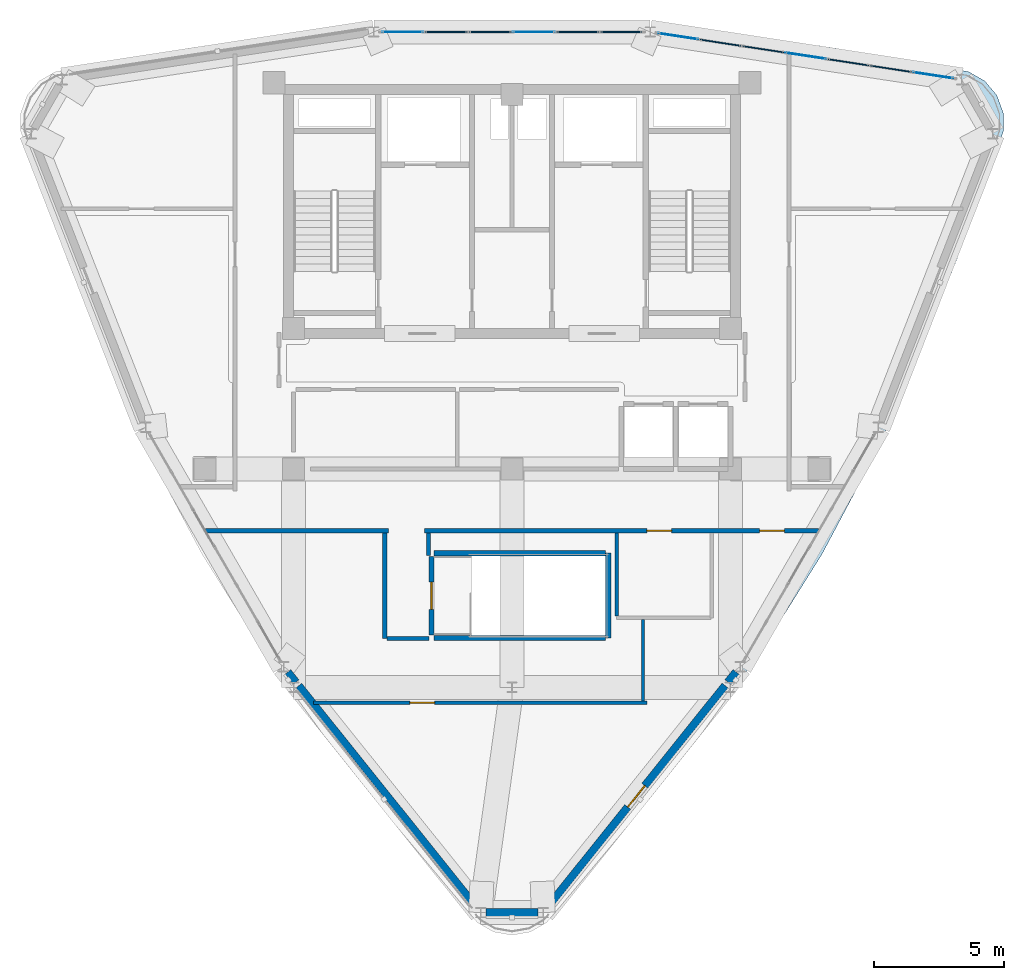
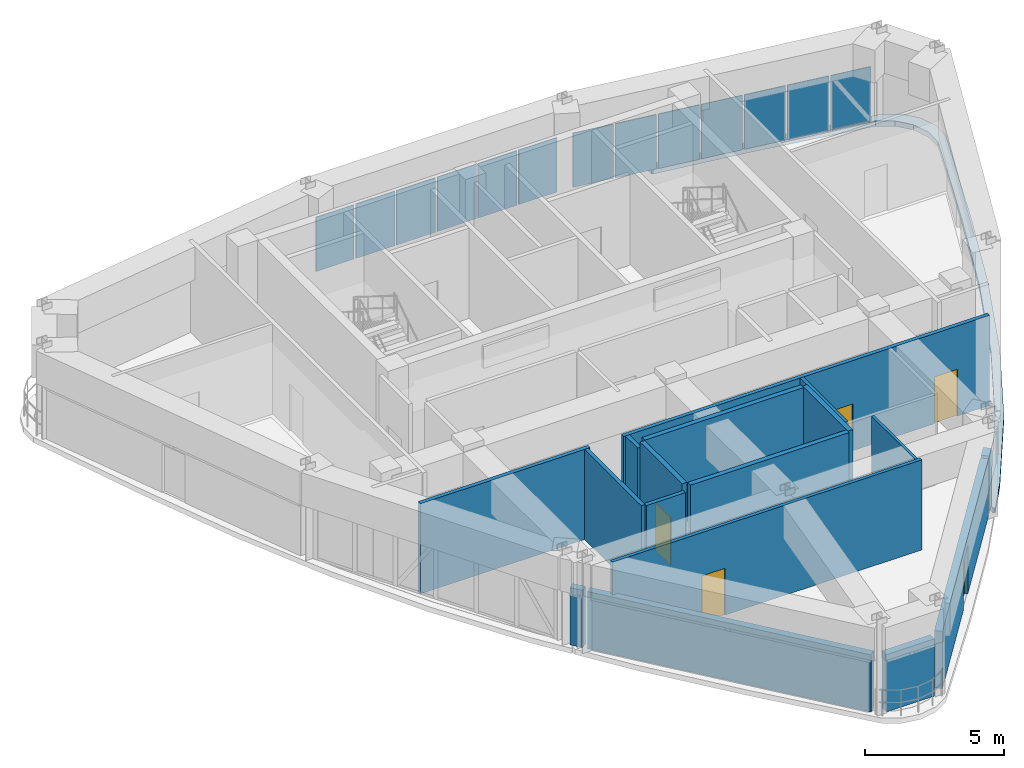
# One storey, part 12 of 16: 17 walls, 13 plates, 5 doors, 1 slab, 5 openings, 2 elements without a shape of their own.
"""IFC4 building model written with IfcOpenShell, lengths in metres."""

from ifc_helpers import new_model, si_unit, derived_unit, direction, frame, frame_2d, origin, origin_2d, place, context, subcontext, project, spatial, polyline, rectangle, outline, extrude, source, transform, mapped, material, layer, layer_set, type_object, element, fill, aggregate, save


model = new_model("IFC4")

# Units and contexts
model_context = context("Model", 3, precision=1e-05, world=origin(), true_north=direction((0.0, 1.0)))
body_context = subcontext(model_context, "Body", "Model", "MODEL_VIEW")
ifc_project = project(units=[si_unit("LENGTHUNIT", "METRE"), si_unit("AREAUNIT", "SQUARE_METRE"), si_unit("VOLUMEUNIT", "CUBIC_METRE"), si_unit("PLANEANGLEUNIT", "RADIAN"), si_unit("MASSUNIT", "GRAM", prefix="KILO"), derived_unit("THERMALTRANSMITTANCEUNIT", [(si_unit("POWERUNIT", "WATT"), 1), (si_unit("LENGTHUNIT", "METRE"), -2), (si_unit("THERMODYNAMICTEMPERATUREUNIT", "KELVIN"), -1)])], contexts=[model_context])

# Site, building, storey
site_placement = place(None, origin())
site = spatial("IfcSite", under=ifc_project, at=site_placement, CompositionType="ELEMENT")
building_placement = place(site_placement, origin())
building = spatial("IfcBuilding", under=site, at=building_placement, Name="Korsvarv Bourse and Concert Hall", CompositionType="ELEMENT")
storey_placement = place(building_placement, frame((0.0, 0.0, 288.0)))
storey = spatial("IfcBuildingStorey", under=building, at=storey_placement, Name="L75", CompositionType="ELEMENT", Elevation=288.0)

# Slab
ifc_material_1 = material(Name="Concrete C45/55", Category="concrete")
ifc_layer_1 = layer(ifc_material_1, 0.22998046875)
ifc_layer_set_1 = layer_set([ifc_layer_1], Name="Concrete C45/55")
slab_type = type_object("IfcSlabType", Name="SLB-SKY", PredefinedType="FLOOR", material=ifc_layer_set_1)
slab_placement = place(storey_placement, frame((0.0, 0.0, -0.22998046875)))
element("IfcSlab", 1, at=slab_placement, inside=storey, type_object=slab_type, Name="L75 Crescent Sky Garden Terrace 2", PredefinedType="FLOOR", context=body_context, shape_type="SweptSolid", body=[
    extrude(outline(polyline([(45.483154296875, 25.839599609375), (45.4833984375, 25.84033203125), (47.635009765625, 29.281494140625), (47.635498046875, 29.2822265625), (47.635986328125, 29.282958984375), (49.540283203125, 32.866943359375), (49.54052734375, 32.86767578125), (49.541015625, 32.868408203125), (51.220703125, 36.59326171875), (51.220703125, 36.593505859375), (51.22119140625, 36.594482421875), (52.731689453125, 40.43701171875), (52.731689453125, 40.43701171875), (52.73193359375, 40.4375), (54.15478515625, 44.355712890625), (54.445556640625, 45.15478515625), (54.44580078125, 45.1552734375), (54.446044921875, 45.156494140625), (54.4462890625, 45.157470703125), (54.4462890625, 45.15869140625), (54.4462890625, 45.159423828125), (54.4462890625, 45.853271484375), (54.4462890625, 45.853759765625), (54.4462890625, 45.85498046875), (54.446044921875, 45.85595703125), (54.44580078125, 45.857421875), (54.445556640625, 45.85791015625), (54.208251953125, 46.509765625), (54.2080078125, 46.51025390625), (54.20751953125, 46.511474609375), (54.20703125, 46.51220703125), (54.206298828125, 46.513427734375), (54.205810546875, 46.513916015625), (53.760009765625, 47.04541015625), (53.759521484375, 47.045654296875), (53.758544921875, 47.046630859375), (53.7578125, 47.04736328125), (53.7568359375, 47.048095703125), (53.75634765625, 47.04833984375), (53.155517578125, 47.395263671875), (53.15478515625, 47.3955078125), (53.15380859375, 47.39599609375), (53.15283203125, 47.396484375), (53.151611328125, 47.396728515625), (53.15087890625, 47.39697265625), (52.314208984375, 47.54443359375), (48.208984375, 48.271484375), (48.20849609375, 48.271484375), (48.208251953125, 48.271484375), (44.751220703125, 48.79052734375), (44.7451171875, 48.791748046875), (44.7392578125, 48.793701171875), (44.733642578125, 48.7958984375), (44.728515625, 48.799072265625), (44.723388671875, 48.802490234375), (44.71875, 48.806396484375), (44.714599609375, 48.810791015625), (44.710693359375, 48.815673828125), (44.70751953125, 48.82080078125), (44.704833984375, 48.826171875), (44.702880859375, 48.83203125), (44.701171875, 48.837890625), (44.7001953125, 48.843994140625), (44.699951171875, 48.85009765625), (44.699951171875, 49.072509765625), (44.7001953125, 49.078125), (44.701171875, 49.083740234375), (44.702392578125, 49.08935546875), (44.704345703125, 49.0947265625), (44.706787109375, 49.10009765625), (44.709716796875, 49.10498046875), (44.712890625, 49.109619140625), (44.716796875, 49.114013671875), (44.720703125, 49.117919921875), (44.725341796875, 49.121337890625), (44.730224609375, 49.12451171875), (44.7353515625, 49.127197265625), (44.740478515625, 49.129150390625), (44.74609375, 49.130859375), (44.751708984375, 49.1318359375), (44.757568359375, 49.13232421875), (44.76318359375, 49.13232421875), (44.768798828125, 49.1318359375), (48.497802734375, 48.572021484375), (48.49951171875, 48.57177734375), (52.70166015625, 47.827392578125), (53.552001953125, 47.677490234375), (53.556884765625, 47.676513671875), (53.56201171875, 47.6748046875), (53.56689453125, 47.6728515625), (53.571533203125, 47.67041015625), (54.175537109375, 47.321533203125), (54.179931640625, 47.31884765625), (54.18408203125, 47.315673828125), (54.18798828125, 47.31201171875), (54.19140625, 47.30810546875), (54.639892578125, 46.773681640625), (54.643310546875, 46.769775390625), (54.64599609375, 46.76513671875), (54.6484375, 46.760498046875), (54.650390625, 46.755859375), (54.888916015625, 46.10009765625), (54.890625, 46.09521484375), (54.8916015625, 46.090087890625), (54.892333984375, 46.0849609375), (54.892578125, 46.07958984375), (54.892578125, 45.382080078125), (54.892333984375, 45.376953125), (54.8916015625, 45.37158203125), (54.890625, 45.366455078125), (54.888916015625, 45.361572265625), (54.593505859375, 44.549560546875), (53.13720703125, 40.5390625), (53.13671875, 40.53759765625), (51.590576171875, 36.605224609375), (51.58935546875, 36.6025390625), (49.87060546875, 32.790771484375), (49.868896484375, 32.787353515625), (47.920654296875, 29.1201171875), (47.91845703125, 29.116455078125), (45.716796875, 25.595458984375), (45.714599609375, 25.59228515625), (44.80859375, 24.332763671875), (44.80517578125, 24.328369140625), (44.801025390625, 24.32421875), (44.796630859375, 24.3203125), (44.7919921875, 24.31689453125), (44.786865234375, 24.314208984375), (44.781494140625, 24.311767578125), (44.77587890625, 24.31005859375), (44.770263671875, 24.30859375), (44.764404296875, 24.30810546875), (44.7587890625, 24.307861328125), (44.7529296875, 24.308349609375), (44.747314453125, 24.30908203125), (44.74169921875, 24.310791015625), (44.736083984375, 24.312744140625), (44.73095703125, 24.315185546875), (44.72607421875, 24.318359375), (44.721435546875, 24.322021484375), (44.717041015625, 24.325927734375), (44.71337890625, 24.330078125), (44.709716796875, 24.3349609375), (44.706787109375, 24.33984375), (44.704345703125, 24.34521484375), (44.702392578125, 24.3505859375), (44.701171875, 24.356201171875), (44.7001953125, 24.362060546875), (44.699951171875, 24.367919921875), (44.699951171875, 24.731689453125), (44.7001953125, 24.73779296875), (44.701416015625, 24.744140625), (44.702880859375, 24.75), (44.705078125, 24.756103515625), (44.7080078125, 24.761474609375), (44.711181640625, 24.766845703125), (45.482666015625, 25.839111328125), (45.483154296875, 25.839599609375)])), origin(), (0.0, 0.0, 1.0), 0.22998046875),
])

# Curtain wall, plates
ifc_material_2 = material(Name="Anodised aluminium and triple low-E glazing", Category="glass")
ifc_layer_2 = layer(ifc_material_2, 0.18994140625)
ifc_layer_set_2 = layer_set([ifc_layer_2], Name="Anodised aluminium and triple low-E glazing")
curtain_wall_type = type_object("IfcCurtainWallType", Name="CW-SYS-4", PredefinedType="NOTDEFINED", material=ifc_layer_set_2)
curtain_wall_1_placement = place(storey_placement, origin())
curtain_wall_1 = element("IfcCurtainWall", 2, at=curtain_wall_1_placement, inside=storey, type_object=curtain_wall_type, Name="L75 CW4 curtain wall CW-L75-F02", PredefinedType="NOTDEFINED")
ifc_material_3 = material(Name="Insulated spandrel glass", Category="glass")
ifc_layer_3 = layer(ifc_material_3, 0.031982421875)
ifc_layer_set_3 = layer_set([ifc_layer_3], Name="Insulated spandrel glass")
plate_type_1 = type_object("IfcPlateType", Name="CWP-SPD1", PredefinedType="CURTAIN_PANEL", material=ifc_layer_set_3)
shared_shape_1 = source(origin(), body_context, "Body", "SweptSolid", [
    extrude(rectangle(XDim=1.5537109375, YDim=0.031982421875, at=origin_2d()), origin(), (0.0, 0.0, 1.0), 2.3798828125),
])
plate_1_placement = place(storey_placement, frame((52.200927734375, 47.537109375, 0.06494140625), z_axis=(0.0, 0.0, 1.0), x_axis=(-0.988487108336, 0.151305111127, 0.0)))
plate_1 = element("IfcPlate", 3, at=plate_1_placement, type_object=plate_type_1, Name="CW4 spandrel shadow-box panel 1.1", PredefinedType="CURTAIN_PANEL", context=body_context, shape_type="MappedRepresentation", body=[
    mapped(shared_shape_1, transform((0.0, 0.0, 0.0), scale=1.0)),
])
plate_2_placement = place(storey_placement, frame((42.397705078125, 49.03759765625, 0.06494140625), z_axis=(0.0, 0.0, 1.0), x_axis=(-0.988487108336, 0.151305111127, 0.0)))
plate_2 = element("IfcPlate", 4, at=plate_2_placement, type_object=plate_type_1, Name="CW4 spandrel shadow-box panel 7.1", PredefinedType="CURTAIN_PANEL", context=body_context, shape_type="MappedRepresentation", body=[
    mapped(shared_shape_1, transform((0.0, 0.0, 0.0), scale=1.0)),
])
ifc_material_4 = material(Name="Tempered triple insulated low-E architectural glass", Category="glass")
ifc_layer_4 = layer(ifc_material_4, 0.0419921875)
ifc_layer_set_4 = layer_set([ifc_layer_4], Name="Tempered triple insulated low-E architectural glass")
plate_type_2 = type_object("IfcPlateType", Name="CWP-VIS3", PredefinedType="CURTAIN_PANEL", material=ifc_layer_set_4)
shared_shape_2 = source(origin(), body_context, "Body", "SweptSolid", [
    extrude(rectangle(XDim=1.588623046875, YDim=0.0419921875, at=origin_2d()), origin(), (0.0, 0.0, 1.0), 2.3798828125),
])
plate_3_placement = place(storey_placement, frame((50.57861328125, 47.785400390625, 0.06494140625), z_axis=(0.0, 0.0, 1.0), x_axis=(-0.988487108336, 0.151305111127, 0.0)))
plate_3 = element("IfcPlate", 5, at=plate_3_placement, type_object=plate_type_2, Name="CW4 faceted panel 2.1", PredefinedType="CURTAIN_PANEL", context=body_context, shape_type="MappedRepresentation", body=[
    mapped(shared_shape_2, transform((0.0, 0.0, 0.0), scale=1.0)),
])
plate_4_placement = place(storey_placement, frame((48.93896484375, 48.036376953125, 0.06494140625), z_axis=(0.0, 0.0, 1.0), x_axis=(-0.988487108336, 0.151305111127, 0.0)))
plate_4 = element("IfcPlate", 6, at=plate_4_placement, type_object=plate_type_2, Name="CW4 faceted panel 3.1", PredefinedType="CURTAIN_PANEL", context=body_context, shape_type="MappedRepresentation", body=[
    mapped(shared_shape_2, transform((0.0, 0.0, 0.0), scale=1.0)),
])
plate_5_placement = place(storey_placement, frame((45.65966796875, 48.538330078125, 0.06494140625), z_axis=(0.0, 0.0, 1.0), x_axis=(-0.988487108336, 0.151305111127, 0.0)))
plate_5 = element("IfcPlate", 7, at=plate_5_placement, type_object=plate_type_2, Name="CW4 faceted panel 5.1", PredefinedType="CURTAIN_PANEL", context=body_context, shape_type="MappedRepresentation", body=[
    mapped(shared_shape_2, transform((0.0, 0.0, 0.0), scale=1.0)),
])
plate_6_placement = place(storey_placement, frame((44.02001953125, 48.789306640625, 0.06494140625), z_axis=(0.0, 0.0, 1.0), x_axis=(-0.988487108336, 0.151305111127, 0.0)))
plate_6 = element("IfcPlate", 8, at=plate_6_placement, type_object=plate_type_2, Name="CW4 faceted panel 6.1", PredefinedType="CURTAIN_PANEL", context=body_context, shape_type="MappedRepresentation", body=[
    mapped(shared_shape_2, transform((0.0, 0.0, 0.0), scale=1.0)),
])
shared_shape_3 = source(origin(), body_context, "Body", "SweptSolid", [
    extrude(rectangle(XDim=1.588623046875, YDim=0.031982421875, at=origin_2d()), origin(), (0.0, 0.0, 1.0), 2.3798828125),
])
plate_7_placement = place(storey_placement, frame((47.29931640625, 48.287353515625, 0.06494140625), z_axis=(0.0, 0.0, 1.0), x_axis=(-0.988487108336, 0.151305111127, 0.0)))
plate_7 = element("IfcPlate", 9, at=plate_7_placement, type_object=plate_type_1, Name="CW4 spandrel shadow-box panel 4.1", PredefinedType="CURTAIN_PANEL", context=body_context, shape_type="MappedRepresentation", body=[
    mapped(shared_shape_3, transform((0.0, 0.0, 0.0), scale=1.0)),
])
aggregate(curtain_wall_1, [plate_1, plate_3, plate_4, plate_7, plate_5, plate_6, plate_2])

curtain_wall_2_placement = place(storey_placement, origin())
curtain_wall_2 = element("IfcCurtainWall", 10, at=curtain_wall_2_placement, inside=storey, type_object=curtain_wall_type, Name="L75 CW4 curtain wall CW-L75-F03", PredefinedType="NOTDEFINED")
shared_shape_4 = source(origin(), body_context, "Body", "SweptSolid", [
    extrude(rectangle(XDim=1.58154296875, YDim=0.0419921875, at=origin_2d()), origin(), (0.0, 0.0, 1.0), 2.3798828125),
])
plate_8_placement = place(storey_placement, frame((40.198974609375, 49.2041015625, 0.06494140625), z_axis=(0.0, 0.0, 1.0), x_axis=(-1.0, 0.0, 0.0)))
plate_8 = element("IfcPlate", 11, at=plate_8_placement, type_object=plate_type_2, Name="CW4 faceted panel 1.1", PredefinedType="CURTAIN_PANEL", context=body_context, shape_type="MappedRepresentation", body=[
    mapped(shared_shape_4, transform((0.0, 0.0, 0.0), scale=1.0)),
])
shared_shape_5 = source(origin(), body_context, "Body", "SweptSolid", [
    extrude(rectangle(XDim=1.616455078125, YDim=0.0419921875, at=origin_2d()), origin(), (0.0, 0.0, 1.0), 2.3798828125),
])
plate_9_placement = place(storey_placement, frame((38.52978515625, 49.2041015625, 0.06494140625), z_axis=(0.0, 0.0, 1.0), x_axis=(-1.0, 0.0, 0.0)))
plate_9 = element("IfcPlate", 12, at=plate_9_placement, type_object=plate_type_2, Name="CW4 faceted panel 2.1", PredefinedType="CURTAIN_PANEL", context=body_context, shape_type="MappedRepresentation", body=[
    mapped(shared_shape_5, transform((0.0, 0.0, 0.0), scale=1.0)),
])
plate_10_placement = place(storey_placement, frame((35.15673828125, 49.2041015625, 0.06494140625), z_axis=(0.0, 0.0, 1.0), x_axis=(-1.0, 0.0, 0.0)))
plate_10 = element("IfcPlate", 13, at=plate_10_placement, type_object=plate_type_2, Name="CW4 faceted panel 4.1", PredefinedType="CURTAIN_PANEL", context=body_context, shape_type="MappedRepresentation", body=[
    mapped(shared_shape_5, transform((0.0, 0.0, 0.0), scale=1.0)),
])
plate_11_placement = place(storey_placement, frame((33.47021484375, 49.2041015625, 0.06494140625), z_axis=(0.0, 0.0, 1.0), x_axis=(-1.0, 0.0, 0.0)))
plate_11 = element("IfcPlate", 14, at=plate_11_placement, type_object=plate_type_2, Name="CW4 faceted panel 5.1", PredefinedType="CURTAIN_PANEL", context=body_context, shape_type="MappedRepresentation", body=[
    mapped(shared_shape_5, transform((0.0, 0.0, 0.0), scale=1.0)),
])
shared_shape_6 = source(origin(), body_context, "Body", "SweptSolid", [
    extrude(rectangle(XDim=1.616455078125, YDim=0.031982421875, at=origin_2d()), origin(), (0.0, 0.0, 1.0), 2.3798828125),
])
plate_12_placement = place(storey_placement, frame((36.84326171875, 49.2041015625, 0.06494140625), z_axis=(0.0, 0.0, 1.0), x_axis=(-1.0, 0.0, 0.0)))
plate_12 = element("IfcPlate", 15, at=plate_12_placement, type_object=plate_type_1, Name="CW4 spandrel shadow-box panel 3.1", PredefinedType="CURTAIN_PANEL", context=body_context, shape_type="MappedRepresentation", body=[
    mapped(shared_shape_6, transform((0.0, 0.0, 0.0), scale=1.0)),
])
shared_shape_7 = source(origin(), body_context, "Body", "SweptSolid", [
    extrude(rectangle(XDim=1.58154296875, YDim=0.031982421875, at=origin_2d()), origin(), (0.0, 0.0, 1.0), 2.3798828125),
])
plate_13_placement = place(storey_placement, frame((31.801025390625, 49.2041015625, 0.06494140625), z_axis=(0.0, 0.0, 1.0), x_axis=(-1.0, 0.0, 0.0)))
plate_13 = element("IfcPlate", 16, at=plate_13_placement, type_object=plate_type_1, Name="CW4 spandrel shadow-box panel 6.1", PredefinedType="CURTAIN_PANEL", context=body_context, shape_type="MappedRepresentation", body=[
    mapped(shared_shape_7, transform((0.0, 0.0, 0.0), scale=1.0)),
])
aggregate(curtain_wall_2, [plate_8, plate_9, plate_12, plate_10, plate_11, plate_13])

# Wall, opening, door
ifc_material_5 = material(Name="Concrete C50/60", Category="concrete")
ifc_layer_5 = layer(ifc_material_5, 0.3798828125)
ifc_layer_set_5 = layer_set([ifc_layer_5], Name="Concrete C50/60")
wall_type_1 = type_object("IfcWallType", Name="WL-CORE-380", PredefinedType="SHEAR", material=ifc_layer_set_5)
wall_1_placement = place(storey_placement, frame((32.89990234375, 26.02001953125, 0.0), z_axis=(0.0, 0.0, 1.0), x_axis=(0.0, 1.0, 0.0)))
wall_1 = element("IfcWall", 17, at=wall_1_placement, inside=storey, type_object=wall_type_1, Name="L75 stair shaft structural wall W-L75-STLK-W", PredefinedType="SHEAR", context=body_context, shape_type="SweptSolid", body=[
    extrude(rectangle(XDim=3.02001953125, YDim=0.199951171875, at=frame_2d((1.510009765625, 0.0))), origin(), (0.0, 0.0, 1.0), 4.199951171875),
])
opening_1_placement = place(wall_1_placement, frame((0.97998046875, 0.0, 0.0)))
opening_1 = element("IfcOpeningElement", 18, at=opening_1_placement, cuts=wall_1, Name="Opening D-01", PredefinedType="OPENING", context=body_context, shape_type="SweptSolid", body=[
    extrude(rectangle(XDim=1.050048828125, YDim=2.10009765625, at=frame_2d((0.52490234375, 1.050048828125))), frame((0.0, 0.10986328125, 0.0), z_axis=(0.0, -1.0, 0.0), x_axis=(1.0, 0.0, 0.0)), (0.0, 0.0, 1.0), 0.219970703125),
])
ifc_material_6 = material(Name="Steel S355 fire door", Category="steel")
door_type_1 = type_object("IfcDoorType", Name="DR-FD60", OperationType="NOTDEFINED", PredefinedType="DOOR", material=ifc_material_6)
door_1_placement = place(opening_1_placement, frame((1.050048828125, 0.0, 0.0), z_axis=(0.0, 0.0, 1.0), x_axis=(-1.0, 0.0, 0.0)))
door_1 = element("IfcDoor", 19, at=door_1_placement, inside=storey, type_object=door_type_1, Name="L75 interior door DR-L75-STLK", OperationType="SINGLE_SWING_LEFT", OverallHeight=2.10009765625, OverallWidth=1.050048828125, PredefinedType="DOOR", context=body_context, shape_type="SweptSolid", body=[
    extrude(rectangle(XDim=1.050048828125, YDim=2.10009765625, at=frame_2d((0.52490234375, 1.050048828125))), frame((0.0, 0.02490234375, 0.0), z_axis=(0.0, -1.0, 0.0), x_axis=(1.0, 0.0, 0.0)), (0.0, 0.0, 1.0), 0.050048828125),
])
fill(opening_1, door_1)

# Walls
for number, where, z_axis, x_axis, name in (
    (20, (33.010009765625, 29.159912109375, 0.0), (0.0, 0.0, 1.0), (1.0, 0.0, 0.0), "L75 stair shaft structural wall W-L75-STLK-N"),
    (21, (33.010009765625, 25.89990234375, 0.0), (0.0, 0.0, 1.0), (1.0, 0.0, 0.0), "L75 stair shaft structural wall W-L75-STLK-S"),
):
    element("IfcWall", number, at=place(storey_placement, frame(where, z_axis=z_axis, x_axis=x_axis)), inside=storey, type_object=wall_type_1, Name=name, PredefinedType="SHEAR", context=body_context, shape_type="SweptSolid", body=[
        extrude(rectangle(XDim=6.580078125, YDim=0.199951171875, at=frame_2d((3.2900390625, 0.0))), origin(), (0.0, 0.0, 1.0), 4.199951171875),
    ])
wall_2_placement = place(storey_placement, frame((39.699951171875, 25.89990234375, 0.0), z_axis=(0.0, 0.0, 1.0), x_axis=(0.0, 1.0, 0.0)))
element("IfcWall", 22, at=wall_2_placement, inside=storey, type_object=wall_type_1, Name="L75 stair shaft structural wall W-L75-STLK-E", PredefinedType="SHEAR", context=body_context, shape_type="SweptSolid", body=[
    extrude(rectangle(XDim=3.260009765625, YDim=0.199951171875, at=frame_2d((1.6298828125, 0.0))), origin(), (0.0, 0.0, 1.0), 4.199951171875),
])
ifc_material_7 = material(Name="Precast concrete C45/55 with terracotta rainscreen", Category="concrete")
ifc_layer_6 = layer(ifc_material_7, 0.300048828125)
ifc_layer_set_6 = layer_set([ifc_layer_6], Name="Precast concrete C45/55 with terracotta rainscreen")
wall_type_2 = type_object("IfcWallType", Name="WL-EXT-TC1", PredefinedType="SOLIDWALL", material=ifc_layer_set_6)
wall_3_placement = place(storey_placement, frame((35.00244140625, 15.34228515625, 0.0), z_axis=(0.0, 0.0, 1.0), x_axis=(1.0, 0.0, 0.0)))
element("IfcWall", 23, at=wall_3_placement, inside=storey, type_object=wall_type_2, Name="L75 terracotta exterior wall EW-L75-B09", PredefinedType="SOLIDWALL", context=body_context, shape_type="SweptSolid", body=[
    extrude(rectangle(XDim=1.9951171875, YDim=0.300048828125, at=frame_2d((0.99755859375, 0.0))), origin(), (0.0, 0.0, 1.0), 2.510009765625),
])

# Wall, opening, door
wall_4_placement = place(storey_placement, frame((37.36669921875, 15.546875, 0.0), z_axis=(0.0, 0.0, 1.0), x_axis=(0.625281082592, 0.780399620549, 0.0)))
wall_4 = element("IfcWall", 24, at=wall_4_placement, inside=storey, type_object=wall_type_2, Name="L75 terracotta exterior wall EW-L75-B10-1", PredefinedType="SOLIDWALL", context=body_context, shape_type="SweptSolid", body=[
    extrude(rectangle(XDim=10.919677734375, YDim=0.300048828125, at=frame_2d((5.4599609375, 0.0))), origin(), (0.0, 0.0, 1.0), 2.510009765625),
])
opening_2_placement = place(wall_4_placement, frame((4.934814453125, 0.0, 0.0)))
opening_2 = element("IfcOpeningElement", 25, at=opening_2_placement, cuts=wall_4, Name="Opening ED-02", PredefinedType="OPENING", context=body_context, shape_type="SweptSolid", body=[
    extrude(rectangle(XDim=1.050048828125, YDim=2.10009765625, at=frame_2d((0.52490234375, 1.050048828125))), frame((0.0, 0.16015625, 0.0), z_axis=(0.0, -1.0, 0.0), x_axis=(1.0, 0.0, 0.0)), (0.0, 0.0, 1.0), 0.320068359375),
])
ifc_material_8 = material(Name="Thermally broken anodised aluminium and laminated safety glass", Category="aluminium")
door_type_2 = type_object("IfcDoorType", Name="DR-EXT-TERR", OperationType="NOTDEFINED", PredefinedType="DOOR", material=ifc_material_8)
door_2_placement = place(opening_2_placement, frame((1.050048828125, 0.0, 0.0), z_axis=(0.0, 0.0, 1.0), x_axis=(-1.0, 0.0, 0.0)))
door_2 = element("IfcDoor", 26, at=door_2_placement, inside=storey, type_object=door_type_2, Name="L75 Sky Garden Terrace Access Door", OperationType="SINGLE_SWING_RIGHT", OverallHeight=2.10009765625, OverallWidth=1.050048828125, PredefinedType="DOOR", context=body_context, shape_type="SweptSolid", body=[
    extrude(rectangle(XDim=1.050048828125, YDim=2.10009765625, at=frame_2d((0.52490234375, 1.050048828125))), frame((0.0, 0.02490234375, 0.0), z_axis=(0.0, -1.0, 0.0), x_axis=(1.0, 0.0, 0.0)), (0.0, 0.0, 1.0), 0.050048828125),
])
fill(opening_2, door_2)

# Walls
wall_5_placement = place(storey_placement, frame((44.303466796875, 24.20458984375, 0.0), z_axis=(0.0, 0.0, 1.0), x_axis=(0.625468820951, 0.780249161498, 0.0)))
element("IfcWall", 27, at=wall_5_placement, inside=storey, type_object=wall_type_2, Name="L75 terracotta exterior wall EW-L75-B10-2", PredefinedType="SOLIDWALL", context=body_context, shape_type="SweptSolid", body=[
    extrude(rectangle(XDim=0.5, YDim=0.300048828125, at=frame_2d((0.25, 0.0))), origin(), (0.0, 0.0, 1.0), 2.510009765625),
])
ifc_material_9 = material(Name="Precast concrete C45/55 with fluted terracotta pier", Category="concrete")
ifc_layer_7 = layer(ifc_material_9, 0.280029296875)
ifc_layer_set_7 = layer_set([ifc_layer_7], Name="Precast concrete C45/55 with fluted terracotta pier")
wall_type_3 = type_object("IfcWallType", Name="WL-EXT-TC2", PredefinedType="SOLIDWALL", material=ifc_layer_set_7)
wall_6_placement = place(storey_placement, frame((27.3837890625, 24.5947265625, 0.0), z_axis=(0.0, 0.0, 1.0), x_axis=(0.625468820951, -0.780249161498, 0.0)))
element("IfcWall", 28, at=wall_6_placement, inside=storey, type_object=wall_type_3, Name="L75 terracotta exterior wall EW-L75-B08-1", PredefinedType="SOLIDWALL", context=body_context, shape_type="SweptSolid", body=[
    extrude(rectangle(XDim=0.5, YDim=0.280029296875, at=frame_2d((0.25, 0.0))), origin(), (0.0, 0.0, 1.0), 2.510009765625),
])
wall_7_placement = place(storey_placement, frame((27.805419921875, 24.068603515625, 0.0), z_axis=(0.0, 0.0, 1.0), x_axis=(0.625281082592, -0.780399620549, 0.0)))
element("IfcWall", 29, at=wall_7_placement, inside=storey, type_object=wall_type_3, Name="L75 terracotta exterior wall EW-L75-B08-2", PredefinedType="SOLIDWALL", context=body_context, shape_type="SweptSolid", body=[
    extrude(rectangle(XDim=10.919677734375, YDim=0.280029296875, at=frame_2d((5.4599609375, 0.0))), origin(), (0.0, 0.0, 1.0), 2.510009765625),
])

# Wall, openings, doors
ifc_material_10 = material(Name="Double-stud fire-rated acoustic partition", Category="gypsum")
ifc_layer_8 = layer(ifc_material_10, 0.159912109375)
ifc_layer_set_8 = layer_set([ifc_layer_8], Name="Double-stud fire-rated acoustic partition")
wall_type_4 = type_object("IfcWallType", Name="WL-INT-EI60", PredefinedType="PARTITIONING", material=ifc_layer_set_8)
wall_8_placement = place(storey_placement, frame((32.639892578125, 30.02490234375, 0.0), z_axis=(0.0, 0.0, 1.0), x_axis=(1.0, 0.0, 0.0)))
wall_8 = element("IfcWall", 30, at=wall_8_placement, inside=storey, type_object=wall_type_4, Name="L75 interior partition wall W-L75-LKCOR-03", PredefinedType="PARTITIONING", context=body_context, shape_type="SweptSolid", body=[
    extrude(rectangle(XDim=15.154296875, YDim=0.159912109375, at=frame_2d((7.5771484375, 0.0))), origin(), (0.0, 0.0, 1.0), 3.949951171875),
])
opening_3_placement = place(wall_8_placement, frame((8.5458984375, 0.0, 0.0)))
opening_3 = element("IfcOpeningElement", 31, at=opening_3_placement, cuts=wall_8, Name="Opening D-02", PredefinedType="OPENING", context=body_context, shape_type="SweptSolid", body=[
    extrude(rectangle(XDim=0.949951171875, YDim=2.050048828125, at=frame_2d((0.47509765625, 1.02490234375))), frame((0.0, 0.08984375, 0.0), z_axis=(0.0, -1.0, 0.0), x_axis=(1.0, 0.0, 0.0)), (0.0, 0.0, 1.0), 0.179931640625),
])
opening_4_placement = place(wall_8_placement, frame((12.882568359375, 0.0, 0.0)))
opening_4 = element("IfcOpeningElement", 32, at=opening_4_placement, cuts=wall_8, Name="Opening D-02", PredefinedType="OPENING", context=body_context, shape_type="SweptSolid", body=[
    extrude(rectangle(XDim=0.949951171875, YDim=2.050048828125, at=frame_2d((0.47509765625, 1.02490234375))), frame((0.0, 0.08984375, 0.0), z_axis=(0.0, -1.0, 0.0), x_axis=(1.0, 0.0, 0.0)), (0.0, 0.0, 1.0), 0.179931640625),
])
ifc_material_11 = material(Name="Timber and steel acoustic fire door", Category="wood")
door_type_3 = type_object("IfcDoorType", Name="DR-FD30", OperationType="NOTDEFINED", PredefinedType="DOOR", material=ifc_material_11)
door_3_placement = place(opening_3_placement, origin())
door_3 = element("IfcDoor", 33, at=door_3_placement, inside=storey, type_object=door_type_3, Name="L75 interior door DR-L75-LKCOR-RWC", OperationType="SINGLE_SWING_RIGHT", OverallHeight=2.050048828125, OverallWidth=0.949951171875, PredefinedType="DOOR", context=body_context, shape_type="SweptSolid", body=[
    extrude(rectangle(XDim=0.949951171875, YDim=2.050048828125, at=frame_2d((0.47509765625, 1.02490234375))), frame((0.0, 0.02490234375, 0.0), z_axis=(0.0, -1.0, 0.0), x_axis=(1.0, 0.0, 0.0)), (0.0, 0.0, 1.0), 0.050048828125),
])
fill(opening_3, door_3)
door_4_placement = place(opening_4_placement, origin())
door_4 = element("IfcDoor", 34, at=door_4_placement, inside=storey, type_object=door_type_3, Name="L75 interior door DR-L75-LKCOR-LKS13", OperationType="SINGLE_SWING_LEFT", OverallHeight=2.050048828125, OverallWidth=0.949951171875, PredefinedType="DOOR", context=body_context, shape_type="SweptSolid", body=[
    extrude(rectangle(XDim=0.949951171875, YDim=2.050048828125, at=frame_2d((0.47509765625, 1.02490234375))), frame((0.0, 0.02490234375, 0.0), z_axis=(0.0, -1.0, 0.0), x_axis=(1.0, 0.0, 0.0)), (0.0, 0.0, 1.0), 0.050048828125),
])
fill(opening_4, door_4)

# Walls
wall_9_placement = place(storey_placement, frame((24.222900390625, 30.02490234375, 0.0), z_axis=(0.0, 0.0, 1.0), x_axis=(1.0, 0.0, 0.0)))
element("IfcWall", 35, at=wall_9_placement, inside=storey, type_object=wall_type_4, Name="L75 interior partition wall W-L75-LKCOR-04", PredefinedType="PARTITIONING", context=body_context, shape_type="SweptSolid", body=[
    extrude(rectangle(XDim=7.037109375, YDim=0.159912109375, at=frame_2d((3.5185546875, 0.0))), origin(), (0.0, 0.0, 1.0), 3.949951171875),
])
wall_10_placement = place(storey_placement, frame((31.10498046875, 25.8701171875, 0.0), z_axis=(0.0, 0.0, 1.0), x_axis=(0.0, 1.0, 0.0)))
element("IfcWall", 36, at=wall_10_placement, inside=storey, type_object=wall_type_4, Name="L75 interior partition wall W-L75-LKCOR-05", PredefinedType="PARTITIONING", context=body_context, shape_type="SweptSolid", body=[
    extrude(rectangle(XDim=4.072998046875, YDim=0.159912109375, at=frame_2d((2.03662109375, 0.0))), origin(), (0.0, 0.0, 1.0), 3.949951171875),
])
wall_11_placement = place(storey_placement, frame((31.18701171875, 25.875, 0.0), z_axis=(0.0, 0.0, 1.0), x_axis=(1.0, 0.0, 0.0)))
element("IfcWall", 37, at=wall_11_placement, inside=storey, type_object=wall_type_4, Name="L75 interior partition wall W-L75-LKCOR-08", PredefinedType="PARTITIONING", context=body_context, shape_type="SweptSolid", body=[
    extrude(rectangle(XDim=1.613037109375, YDim=0.159912109375, at=frame_2d((0.806640625, 0.0))), origin(), (0.0, 0.0, 1.0), 3.949951171875),
])
wall_12_placement = place(storey_placement, frame((32.794921875, 29.070068359375, 0.0), z_axis=(0.0, 0.0, 1.0), x_axis=(0.0, 1.0, 0.0)))
element("IfcWall", 38, at=wall_12_placement, inside=storey, type_object=wall_type_4, Name="L75 interior partition wall W-L75-LKCOR-09", PredefinedType="PARTITIONING", context=body_context, shape_type="SweptSolid", body=[
    extrude(rectangle(XDim=0.873046875, YDim=0.159912109375, at=frame_2d((0.4365234375, 0.0))), origin(), (0.0, 0.0, 1.0), 3.949951171875),
])
ifc_material_12 = material(Name="Demountable acoustic glass and aluminium dealing partition", Category="aluminium")
ifc_layer_9 = layer(ifc_material_12, 0.110107421875)
ifc_layer_set_9 = layer_set([ifc_layer_9], Name="Demountable acoustic glass and aluminium dealing partition")
wall_type_5 = type_object("IfcWallType", Name="WL-INT-MOV", PredefinedType="MOVABLE", material=ifc_layer_set_9)
wall_13_placement = place(storey_placement, frame((41.034912109375, 23.47705078125, 0.0), z_axis=(0.0, 0.0, 1.0), x_axis=(0.0, 1.0, 0.0)))
element("IfcWall", 39, at=wall_13_placement, inside=storey, type_object=wall_type_5, Name="L75 interior partition wall W-L75-LKCOR-16", PredefinedType="MOVABLE", context=body_context, shape_type="SweptSolid", body=[
    extrude(rectangle(XDim=3.1259765625, YDim=0.110107421875, at=frame_2d((1.56298828125, 0.0))), origin(), (0.0, 0.0, 1.0), 3.949951171875),
])

# Wall, opening, door
ifc_material_13 = material(Name="Insulated steel-stud office acoustic partition", Category="gypsum")
ifc_layer_10 = layer(ifc_material_13, 0.139892578125)
ifc_layer_set_10 = layer_set([ifc_layer_10], Name="Insulated steel-stud office acoustic partition")
wall_type_6 = type_object("IfcWallType", Name="WL-INT-P1", PredefinedType="PARTITIONING", material=ifc_layer_set_10)
wall_14_placement = place(storey_placement, frame((28.357177734375, 23.405029296875, 0.0), z_axis=(0.0, 0.0, 1.0), x_axis=(1.0, 0.0, 0.0)))
wall_14 = element("IfcWall", 40, at=wall_14_placement, inside=storey, type_object=wall_type_6, Name="L75 interior partition wall W-L75-LKCOR-10", PredefinedType="PARTITIONING", context=body_context, shape_type="SweptSolid", body=[
    extrude(rectangle(XDim=12.832763671875, YDim=0.139892578125, at=frame_2d((6.41650390625, 0.0))), origin(), (0.0, 0.0, 1.0), 3.949951171875),
])
opening_5_placement = place(wall_14_placement, frame((3.714111328125, 0.0, 0.0)))
opening_5 = element("IfcOpeningElement", 41, at=opening_5_placement, cuts=wall_14, Name="Opening D-03", PredefinedType="OPENING", context=body_context, shape_type="SweptSolid", body=[
    extrude(rectangle(XDim=0.949951171875, YDim=2.050048828125, at=frame_2d((0.47509765625, 1.02490234375))), frame((0.0, 0.080078125, 0.0), z_axis=(0.0, -1.0, 0.0), x_axis=(1.0, 0.0, 0.0)), (0.0, 0.0, 1.0), 0.159912109375),
])
ifc_material_14 = material(Name="Nordic oak acoustic office door", Category="wood")
door_type_4 = type_object("IfcDoorType", Name="DR-INT-1", OperationType="NOTDEFINED", PredefinedType="DOOR", material=ifc_material_14)
door_5_placement = place(opening_5_placement, origin())
door_5 = element("IfcDoor", 42, at=door_5_placement, inside=storey, type_object=door_type_4, Name="L75 interior door DR-L75-LKCOR-LKS24", OperationType="SINGLE_SWING_RIGHT", OverallHeight=2.050048828125, OverallWidth=0.949951171875, PredefinedType="DOOR", context=body_context, shape_type="SweptSolid", body=[
    extrude(rectangle(XDim=0.949951171875, YDim=2.050048828125, at=frame_2d((0.47509765625, 1.02490234375))), frame((0.0, 0.02490234375, 0.0), z_axis=(0.0, -1.0, 0.0), x_axis=(1.0, 0.0, 0.0)), (0.0, 0.0, 1.0), 0.050048828125),
])
fill(opening_5, door_5)

# Wall
wall_15_placement = place(storey_placement, frame((40.02490234375, 26.7470703125, 0.0), z_axis=(0.0, 0.0, 1.0), x_axis=(0.0, 1.0, 0.0)))
element("IfcWall", 43, at=wall_15_placement, inside=storey, type_object=wall_type_6, Name="L75 interior partition wall W-L75-LKCOR-15", PredefinedType="PARTITIONING", context=body_context, shape_type="SweptSolid", body=[
    extrude(rectangle(XDim=3.196044921875, YDim=0.139892578125, at=frame_2d((1.59814453125, 0.0))), origin(), (0.0, 0.0, 1.0), 3.949951171875),
])

save(model, "model.ifc")
